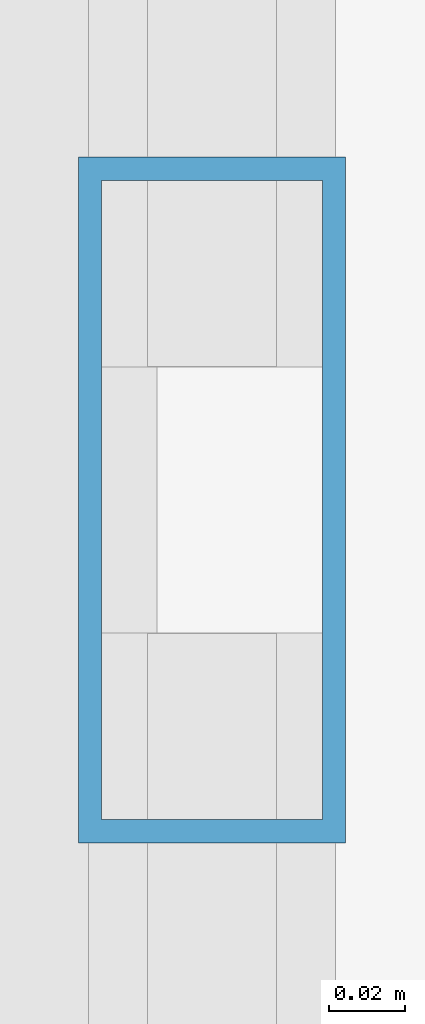
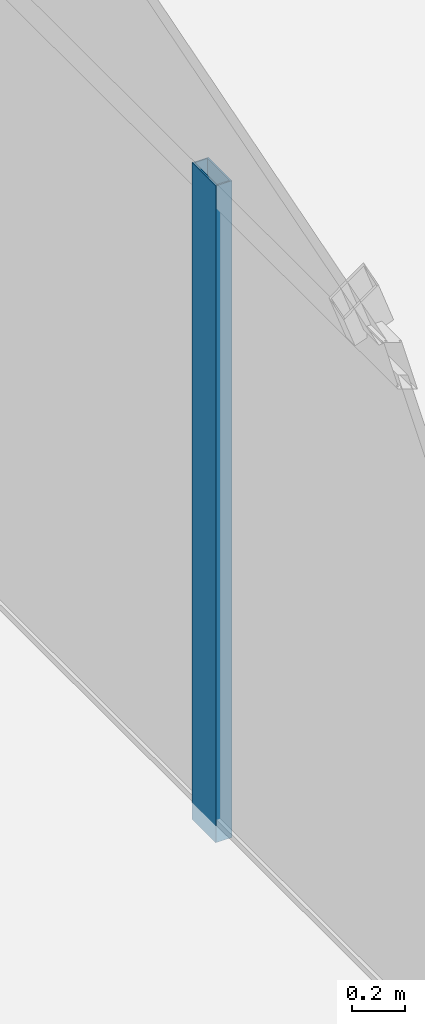
# One storey, part 17 of 32: 1 member, 1 element without a shape of its own.
"""IFC4 building model written with IfcOpenShell, lengths in metres."""

from ifc_helpers import new_model, si_unit, direction, frame, origin, origin_2d, place, context, subcontext, project, spatial, hollow_rectangle, extrude, source, transform, mapped, material, layer, layer_set, material_profile, profile_set, type_object, element, aggregate, save


model = new_model("IFC4")

# Units and contexts
model_context = context("Model", 3, precision=1e-05, world=origin(), true_north=direction((0.0, 1.0)))
body_context = subcontext(model_context, "Body", "Model", "MODEL_VIEW")
ifc_project = project(units=[si_unit("LENGTHUNIT", "METRE"), si_unit("AREAUNIT", "SQUARE_METRE"), si_unit("VOLUMEUNIT", "CUBIC_METRE"), si_unit("PLANEANGLEUNIT", "RADIAN"), si_unit("MASSUNIT", "GRAM", prefix="KILO")], contexts=[model_context])

# Site, building, storey
site_placement = place(None, origin())
site = spatial("IfcSite", under=ifc_project, at=site_placement, CompositionType="ELEMENT")
building_placement = place(site_placement, origin())
building = spatial("IfcBuilding", under=site, at=building_placement, Name="Sumidabori Civic Tower", CompositionType="ELEMENT")
storey_placement = place(building_placement, frame((0.0, 0.0, 298.199951171875)))
storey = spatial("IfcBuildingStorey", under=building, at=storey_placement, Name="RF Roof Crown", CompositionType="ELEMENT", Elevation=298.199951171875)

# Curtain wall, member
ifc_material = material(Name="Anodised Bronze Aluminium AW-6063-T6", Category="aluminium")
ifc_layer = layer(ifc_material, 0.179931640625, Name="Anodised Bronze Aluminium AW-6063-T6")
ifc_layer_set = layer_set([ifc_layer], Name="Anodised Bronze Aluminium AW-6063-T6")
curtain_wall_type = type_object("IfcCurtainWallType", Name="CW-SYS-6", PredefinedType="NOTDEFINED", material=ifc_layer_set)
curtain_wall_placement = place(storey_placement, origin())
curtain_wall = element("IfcCurtainWall", 1, at=curtain_wall_placement, inside=storey, type_object=curtain_wall_type, Name="Glass-Point Crown East Cheek Curtain Wall", PredefinedType="NOTDEFINED")
ifc_material_profile = material_profile(ifc_material, hollow_rectangle(XDim=0.070068359375, YDim=0.179931640625, WallThickness=0.006103515625, at=origin_2d()), Name="ALU MULLION 180x70")
ifc_profile_set = profile_set([ifc_material_profile], Name="Anodised Bronze Aluminium AW-6063-T6")
member_type = type_object("IfcMemberType", Name="CW-MUL-180", PredefinedType="MULLION", material=ifc_profile_set)
shared_shape = source(origin(), body_context, "Body", "SweptSolid", [
    extrude(hollow_rectangle(XDim=0.070068359375, YDim=0.179931640625, WallThickness=0.006103515625, at=origin_2d()), origin(), (0.0, 0.0, 1.0), 3.050048828125),
])
member_placement = place(storey_placement, frame((16.60009765625, 6.0, 0.0), z_axis=(0.0, 0.0, 1.0), x_axis=(-1.0, 0.0, 0.0)))
member = element("IfcMember", 2, at=member_placement, type_object=member_type, Name="CW-6 mullion 3", PredefinedType="MULLION", context=body_context, shape_type="MappedRepresentation", body=[
    mapped(shared_shape, transform((0.0, 0.0, 0.0), x_axis=(1.0, 0.0, 0.0), y_axis=(0.0, 1.0, 0.0), z_axis=(0.0, 0.0, 1.0), scale=1.0)),
])
aggregate(curtain_wall, [member])

save(model, "model.ifc")
